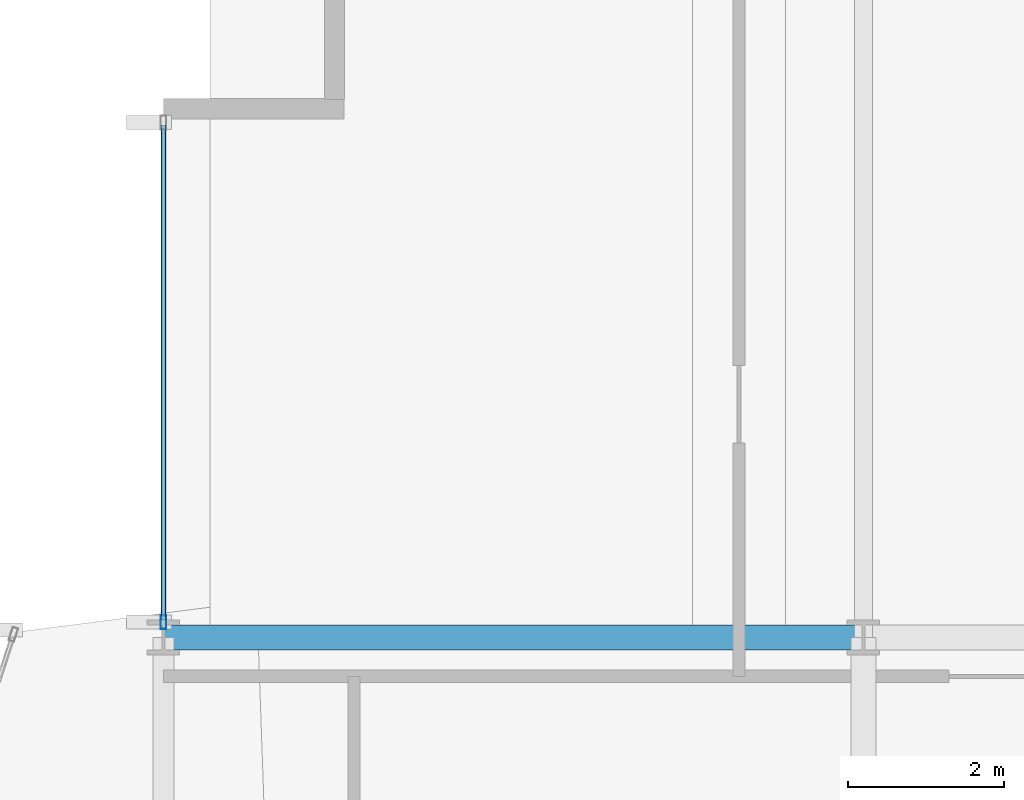
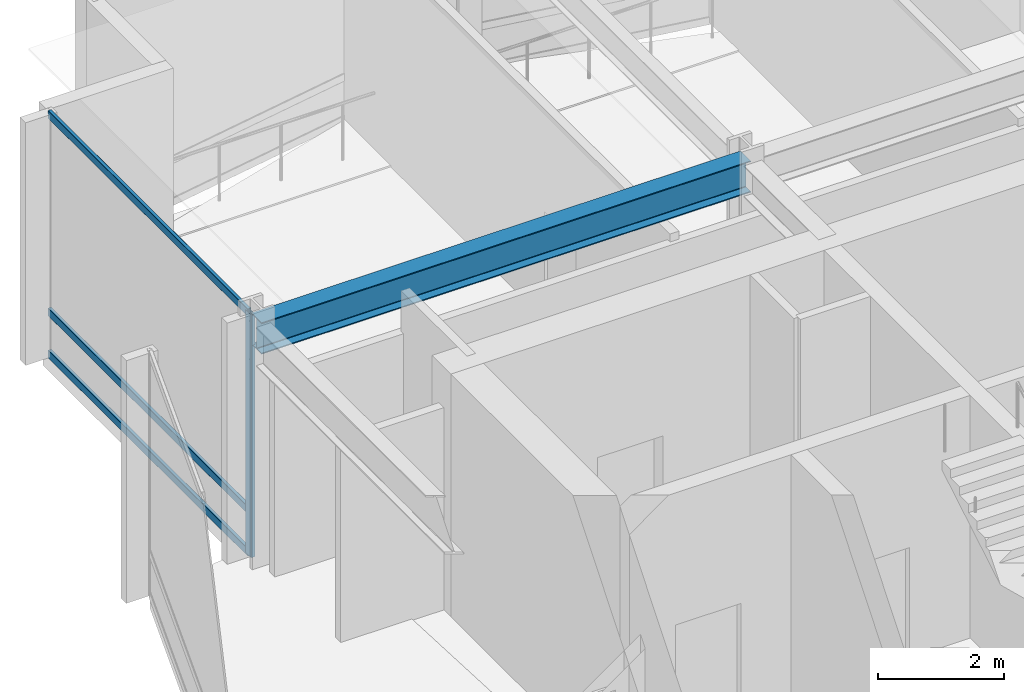
# One storey, part 16 of 33: 4 members, 1 beam, 1 element without a shape of its own.
"""IFC4 building model written with IfcOpenShell, lengths in metres."""

from ifc_helpers import new_model, si_unit, direction, frame, origin, origin_2d, place, context, subcontext, project, spatial, hollow_rectangle, i_section, extrude, material, layer, layer_set, material_profile, profile_set, type_object, element, aggregate, save


model = new_model("IFC4")

# Units and contexts
model_context = context("Model", 3, precision=1e-05, world=origin(), true_north=direction((0.0, 1.0)))
body_context = subcontext(model_context, "Body", "Model", "MODEL_VIEW")
ifc_project = project(units=[si_unit("LENGTHUNIT", "METRE"), si_unit("AREAUNIT", "SQUARE_METRE"), si_unit("VOLUMEUNIT", "CUBIC_METRE"), si_unit("PLANEANGLEUNIT", "RADIAN"), si_unit("MASSUNIT", "GRAM", prefix="KILO")], contexts=[model_context])

# Site, building, storey
site_placement = place(None, origin())
site = spatial("IfcSite", under=ifc_project, at=site_placement, CompositionType="ELEMENT")
building_placement = place(site_placement, origin())
building = spatial("IfcBuilding", under=site, at=building_placement, Name="Solvaryn Broadcast Tower", CompositionType="ELEMENT")
storey_placement = place(building_placement, frame((0.0, 0.0, 105.0)))
storey = spatial("IfcBuildingStorey", under=building, at=storey_placement, Name="L25", CompositionType="ELEMENT", Elevation=105.0)

# Beam
ifc_material_1 = material(Name="Steel ASTM A992 Grade 50", Category="steel")
ifc_material_profile_1 = material_profile(ifc_material_1, i_section(OverallWidth=0.323974609375, OverallDepth=0.611083984375, WebThickness=0.0126953125, FlangeThickness=0.01904296875, FilletRadius=0.014892578125, at=origin_2d()))
ifc_profile_set_1 = profile_set([ifc_material_profile_1], Name="Steel ASTM A992 Grade 50")
beam_type = type_object("IfcBeamType", Name="BM-B1-W24X104", PredefinedType="BEAM", material=ifc_profile_set_1)
beam_placement = place(storey_placement, frame((9.0, 45.0, 4.41455078125), z_axis=(1.0, 0.0, 0.0), x_axis=(0.0, 1.0, 0.0)))
element("IfcBeam", 1, at=beam_placement, inside=storey, type_object=beam_type, Name="L25 Primary Beam X (9-18 @ Y=45)", PredefinedType="BEAM", context=body_context, shape_type="SweptSolid", body=[
    extrude(i_section(OverallWidth=0.323974609375, OverallDepth=0.611083984375, WebThickness=0.0126953125, FlangeThickness=0.01904296875, FilletRadius=0.014892578125, at=origin_2d()), origin(), (0.0, 0.0, 1.0), 9.0),
])

# Curtain wall, members
ifc_material_2 = material(Name="Aluminium and Terracotta Unitised Curtain Wall", Category="masonry")
ifc_layer = layer(ifc_material_2, 0.25)
ifc_layer_set = layer_set([ifc_layer], Name="CW-SYS4-SKYGARDEN")
curtain_wall_type = type_object("IfcCurtainWallType", Name="CW-SYS4-SKYGARDEN", PredefinedType="NOTDEFINED", material=ifc_layer_set)
curtain_wall_placement = place(storey_placement, origin())
curtain_wall = element("IfcCurtainWall", 2, at=curtain_wall_placement, inside=storey, type_object=curtain_wall_type, Name="L25 Curtain Wall W2", PredefinedType="NOTDEFINED")
ifc_material_3 = material(Name="Anodised Aluminium 6063-T6", Category="aluminium")
ifc_material_profile_2 = material_profile(ifc_material_3, hollow_rectangle(XDim=0.074951171875, YDim=0.179931640625, WallThickness=0.00390625, InnerFilletRadius=0.00390625, OuterFilletRadius=0.008056640625, at=origin_2d()))
ifc_profile_set_2 = profile_set([ifc_material_profile_2], Name="Anodised Aluminium 6063-T6")
member_type_1 = type_object("IfcMemberType", Name="CW-MUL-180", PredefinedType="MULLION", material=ifc_profile_set_2)
member_1_placement = place(storey_placement, frame((9.0, 45.197021484375, 0.0), z_axis=(0.0, 0.0, 1.0), x_axis=(-1.0, 0.0, 0.0)))
member_1 = element("IfcMember", 3, at=member_1_placement, type_object=member_type_1, Name="CWS4 mullion 1", PredefinedType="MULLION", context=body_context, shape_type="SweptSolid", body=[
    extrude(hollow_rectangle(XDim=0.074951171875, YDim=0.179931640625, WallThickness=0.00390625, InnerFilletRadius=0.00390625, OuterFilletRadius=0.008056640625, at=origin_2d()), origin(), (0.0, 0.0, 1.0), 4.719970703125),
])
ifc_material_4 = material(Name="Anodised Aluminium 6063-T6", Category="aluminium")
ifc_material_profile_3 = material_profile(ifc_material_4, hollow_rectangle(XDim=0.06494140625, YDim=0.14990234375, WallThickness=0.00390625, InnerFilletRadius=0.00390625, OuterFilletRadius=0.008056640625, at=origin_2d()))
ifc_profile_set_3 = profile_set([ifc_material_profile_3], Name="Anodised Aluminium 6063-T6")
member_type_2 = type_object("IfcMemberType", Name="CW-TRN-150", PredefinedType="USERDEFINED", material=ifc_profile_set_3)
member_2_placement = place(storey_placement, frame((9.0, 45.22705078125, 0.030029296875), z_axis=(0.0, 1.0, 0.0), x_axis=(-1.0, 0.0, 0.0)))
member_2 = element("IfcMember", 4, at=member_2_placement, type_object=member_type_2, Name="CWS4 transom 1.1", ObjectType="TRANSOM", PredefinedType="USERDEFINED", context=body_context, shape_type="SweptSolid", body=[
    extrude(hollow_rectangle(XDim=0.06494140625, YDim=0.14990234375, WallThickness=0.00390625, InnerFilletRadius=0.00390625, OuterFilletRadius=0.008056640625, at=origin_2d()), origin(), (0.0, 0.0, 1.0), 6.363037109375),
])
member_3_placement = place(storey_placement, frame((9.0, 45.22705078125, 0.85009765625), z_axis=(0.0, 1.0, 0.0), x_axis=(-1.0, 0.0, 0.0)))
member_3 = element("IfcMember", 5, at=member_3_placement, type_object=member_type_2, Name="CWS4 transom 1.2", ObjectType="TRANSOM", PredefinedType="USERDEFINED", context=body_context, shape_type="SweptSolid", body=[
    extrude(hollow_rectangle(XDim=0.06494140625, YDim=0.14990234375, WallThickness=0.00390625, InnerFilletRadius=0.00390625, OuterFilletRadius=0.008056640625, at=origin_2d()), origin(), (0.0, 0.0, 1.0), 6.363037109375),
])
member_4_placement = place(storey_placement, frame((9.0, 45.22705078125, 4.68994140625), z_axis=(0.0, 1.0, 0.0), x_axis=(-1.0, 0.0, 0.0)))
member_4 = element("IfcMember", 6, at=member_4_placement, type_object=member_type_2, Name="CWS4 transom 1.3", ObjectType="TRANSOM", PredefinedType="USERDEFINED", context=body_context, shape_type="SweptSolid", body=[
    extrude(hollow_rectangle(XDim=0.06494140625, YDim=0.14990234375, WallThickness=0.00390625, InnerFilletRadius=0.00390625, OuterFilletRadius=0.008056640625, at=origin_2d()), origin(), (0.0, 0.0, 1.0), 6.363037109375),
])
aggregate(curtain_wall, [member_1, member_2, member_3, member_4])

save(model, "model.ifc")
